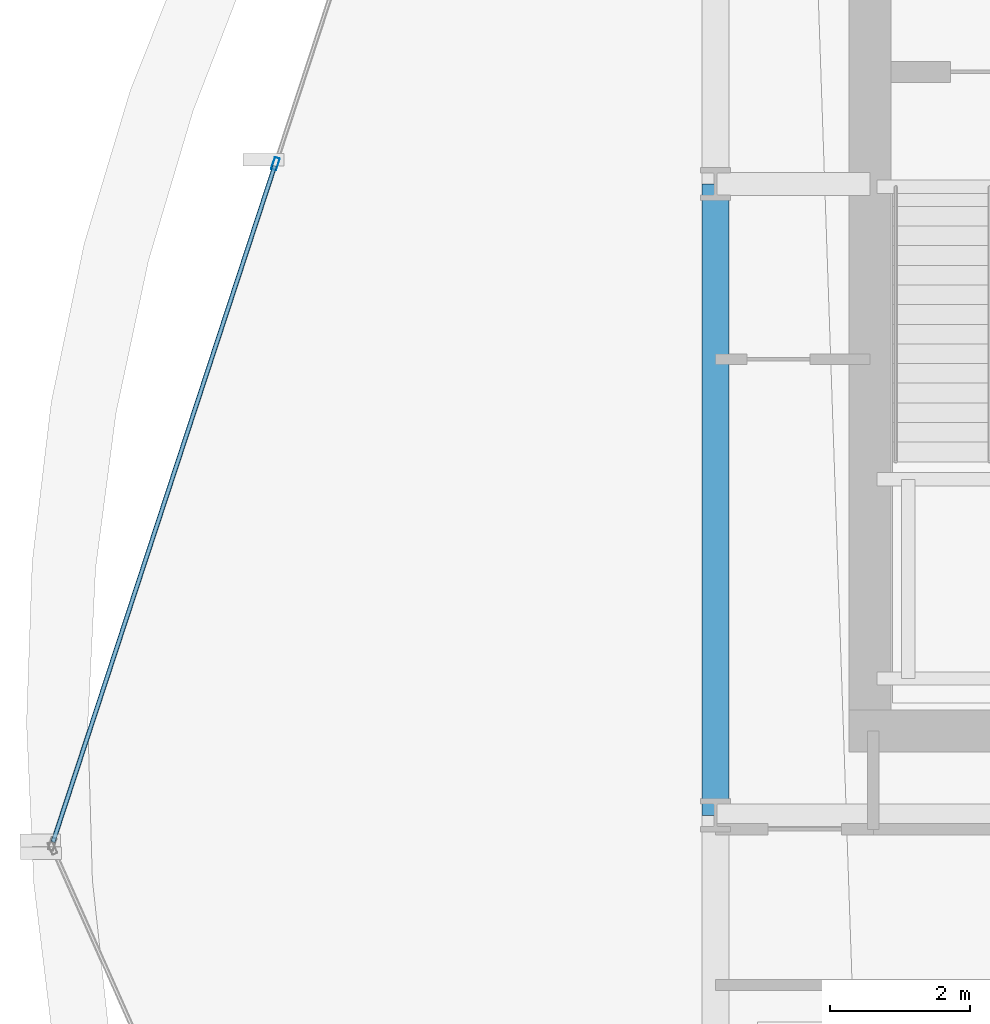
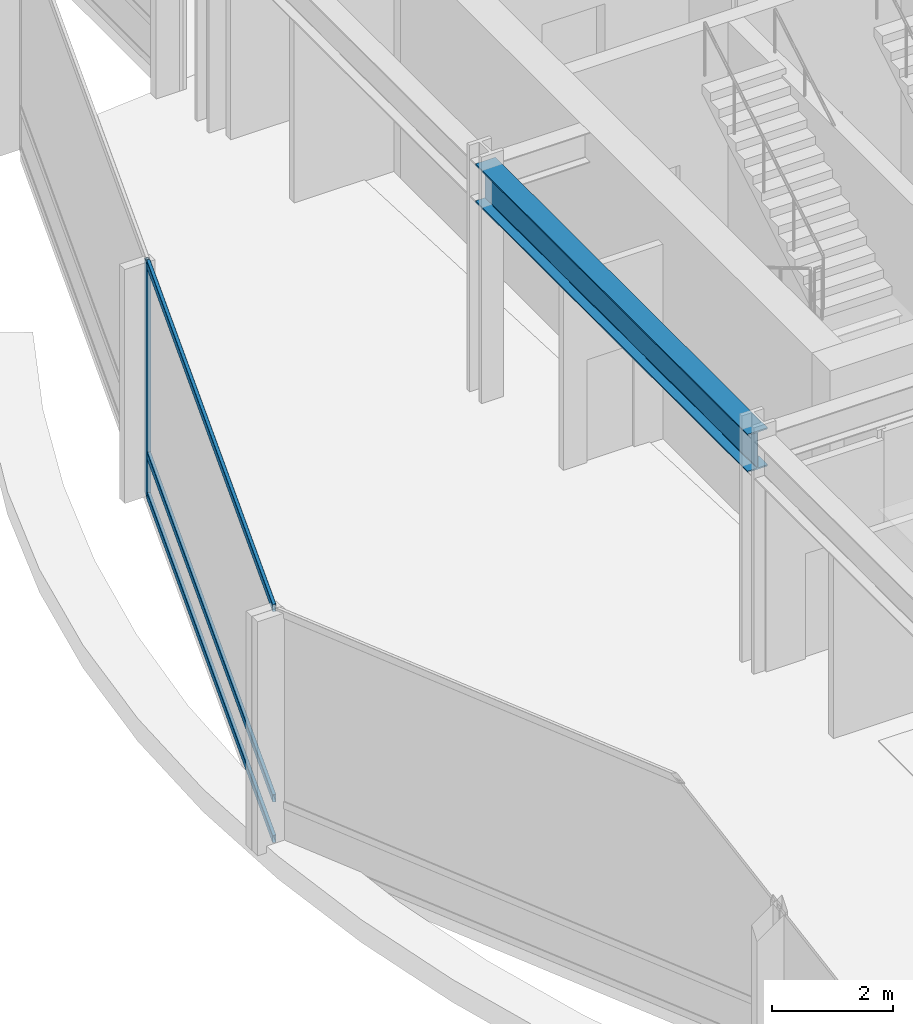
# One storey, part 19 of 39: 4 members, 1 beam, 1 element without a shape of its own.
"""IFC4 building model written with IfcOpenShell, lengths in metres."""

from ifc_helpers import new_model, si_unit, direction, frame, origin, origin_2d, place, context, subcontext, project, spatial, hollow_rectangle, i_section, extrude, material, layer, layer_set, material_profile, profile_set, type_object, element, aggregate, save


model = new_model("IFC4")

# Units and contexts
model_context = context("Model", 3, precision=1e-05, world=origin(), true_north=direction((0.0, 1.0)))
body_context = subcontext(model_context, "Body", "Model", "MODEL_VIEW")
ifc_project = project(units=[si_unit("LENGTHUNIT", "METRE"), si_unit("AREAUNIT", "SQUARE_METRE"), si_unit("VOLUMEUNIT", "CUBIC_METRE"), si_unit("PLANEANGLEUNIT", "RADIAN"), si_unit("MASSUNIT", "GRAM", prefix="KILO")], contexts=[model_context])

# Site, building, storey
site_placement = place(None, origin())
site = spatial("IfcSite", under=ifc_project, at=site_placement, CompositionType="ELEMENT")
building_placement = place(site_placement, origin())
building = spatial("IfcBuilding", under=site, at=building_placement, Name="Solvaryn Broadcast Tower", CompositionType="ELEMENT")
storey_placement = place(building_placement, frame((0.0, 0.0, 84.10009765625)))
storey = spatial("IfcBuildingStorey", under=building, at=storey_placement, Name="L20", CompositionType="ELEMENT", Elevation=84.10009765625)

# Beam
ifc_material_1 = material(Name="Steel ASTM A992 Grade 50", Category="steel")
ifc_material_profile_1 = material_profile(ifc_material_1, i_section(OverallWidth=0.381103515625, OverallDepth=0.77294921875, WebThickness=0.0166015625, FlangeThickness=0.027099609375, FilletRadius=0.01806640625, at=origin_2d()))
ifc_profile_set_1 = profile_set([ifc_material_profile_1], Name="Steel ASTM A992 Grade 50")
beam_type = type_object("IfcBeamType", Name="BM-SP1-W30X173", PredefinedType="USERDEFINED", material=ifc_profile_set_1)
beam_placement = place(storey_placement, frame((9.0, 27.0, 4.33349609375), z_axis=(0.0, 1.0, 0.0), x_axis=(-1.0, 0.0, 0.0)))
element("IfcBeam", 1, at=beam_placement, inside=storey, type_object=beam_type, Name="L20 Spandrel Beam Y (27-36 @ X=9)", ObjectType="SPANDREL", PredefinedType="USERDEFINED", context=body_context, shape_type="SweptSolid", body=[
    extrude(i_section(OverallWidth=0.381103515625, OverallDepth=0.77294921875, WebThickness=0.0166015625, FlangeThickness=0.027099609375, FilletRadius=0.01806640625, at=origin_2d()), origin(), (0.0, 0.0, 1.0), 9.0),
])

# Curtain wall, members
ifc_material_2 = material(Name="Aluminium and Terracotta Unitised Curtain Wall", Category="masonry")
ifc_layer = layer(ifc_material_2, 0.25)
ifc_layer_set = layer_set([ifc_layer], Name="CW-SYS4-SKYGARDEN")
curtain_wall_type = type_object("IfcCurtainWallType", Name="CW-SYS4-SKYGARDEN", PredefinedType="NOTDEFINED", material=ifc_layer_set)
curtain_wall_placement = place(storey_placement, origin())
curtain_wall = element("IfcCurtainWall", 2, at=curtain_wall_placement, inside=storey, type_object=curtain_wall_type, Name="L20 Curtain Wall DR1", PredefinedType="NOTDEFINED")
ifc_material_3 = material(Name="Anodised Aluminium 6063-T6", Category="aluminium")
ifc_material_profile_2 = material_profile(ifc_material_3, hollow_rectangle(XDim=0.074951171875, YDim=0.179931640625, WallThickness=0.00390625, InnerFilletRadius=0.00390625, OuterFilletRadius=0.008056640625, at=origin_2d()))
ifc_profile_set_2 = profile_set([ifc_material_profile_2], Name="Anodised Aluminium 6063-T6")
member_type_1 = type_object("IfcMemberType", Name="CW-MUL-180", PredefinedType="MULLION", material=ifc_profile_set_2)
member_1_placement = place(storey_placement, frame((2.72607421875, 36.2880859375, 0.0), z_axis=(0.0, 0.0, 1.0), x_axis=(0.950215318429, -0.311594044587, 0.0)))
member_1 = element("IfcMember", 3, at=member_1_placement, type_object=member_type_1, Name="CWS4 mullion 2", PredefinedType="MULLION", context=body_context, shape_type="SweptSolid", body=[
    extrude(hollow_rectangle(XDim=0.074951171875, YDim=0.179931640625, WallThickness=0.00390625, InnerFilletRadius=0.00390625, OuterFilletRadius=0.008056640625, at=origin_2d()), origin(), (0.0, 0.0, 1.0), 4.719970703125),
])
ifc_material_4 = material(Name="Anodised Aluminium 6063-T6", Category="aluminium")
ifc_material_profile_3 = material_profile(ifc_material_4, hollow_rectangle(XDim=0.06494140625, YDim=0.14990234375, WallThickness=0.00390625, InnerFilletRadius=0.00390625, OuterFilletRadius=0.008056640625, at=origin_2d()))
ifc_profile_set_3 = profile_set([ifc_material_profile_3], Name="Anodised Aluminium 6063-T6")
member_type_2 = type_object("IfcMemberType", Name="CW-TRN-150", PredefinedType="USERDEFINED", material=ifc_profile_set_3)
member_2_placement = place(storey_placement, frame((2.716552734375, 36.259521484375, 0.02978515625), z_axis=(-0.311583076016, -0.950218915167, 0.0), x_axis=(0.950218915167, -0.311583076016, 0.0)))
member_2 = element("IfcMember", 4, at=member_2_placement, type_object=member_type_2, Name="CWS4 transom 2.1", ObjectType="TRANSOM", PredefinedType="USERDEFINED", context=body_context, shape_type="SweptSolid", body=[
    extrude(hollow_rectangle(XDim=0.06494140625, YDim=0.14990234375, WallThickness=0.00390625, InnerFilletRadius=0.00390625, OuterFilletRadius=0.008056640625, at=origin_2d()), origin(), (0.0, 0.0, 1.0), 10.147705078125),
])
member_3_placement = place(storey_placement, frame((2.716552734375, 36.259521484375, 0.849853515625), z_axis=(-0.311583076016, -0.950218915167, 0.0), x_axis=(0.950218915167, -0.311583076016, 0.0)))
member_3 = element("IfcMember", 5, at=member_3_placement, type_object=member_type_2, Name="CWS4 transom 2.2", ObjectType="TRANSOM", PredefinedType="USERDEFINED", context=body_context, shape_type="SweptSolid", body=[
    extrude(hollow_rectangle(XDim=0.06494140625, YDim=0.14990234375, WallThickness=0.00390625, InnerFilletRadius=0.00390625, OuterFilletRadius=0.008056640625, at=origin_2d()), origin(), (0.0, 0.0, 1.0), 10.147705078125),
])
member_4_placement = place(storey_placement, frame((2.716552734375, 36.259521484375, 4.68994140625), z_axis=(-0.311583076016, -0.950218915167, 0.0), x_axis=(0.950218915167, -0.311583076016, 0.0)))
member_4 = element("IfcMember", 6, at=member_4_placement, type_object=member_type_2, Name="CWS4 transom 2.3", ObjectType="TRANSOM", PredefinedType="USERDEFINED", context=body_context, shape_type="SweptSolid", body=[
    extrude(hollow_rectangle(XDim=0.06494140625, YDim=0.14990234375, WallThickness=0.00390625, InnerFilletRadius=0.00390625, OuterFilletRadius=0.008056640625, at=origin_2d()), origin(), (0.0, 0.0, 1.0), 10.147705078125),
])
aggregate(curtain_wall, [member_1, member_2, member_3, member_4])

save(model, "model.ifc")
